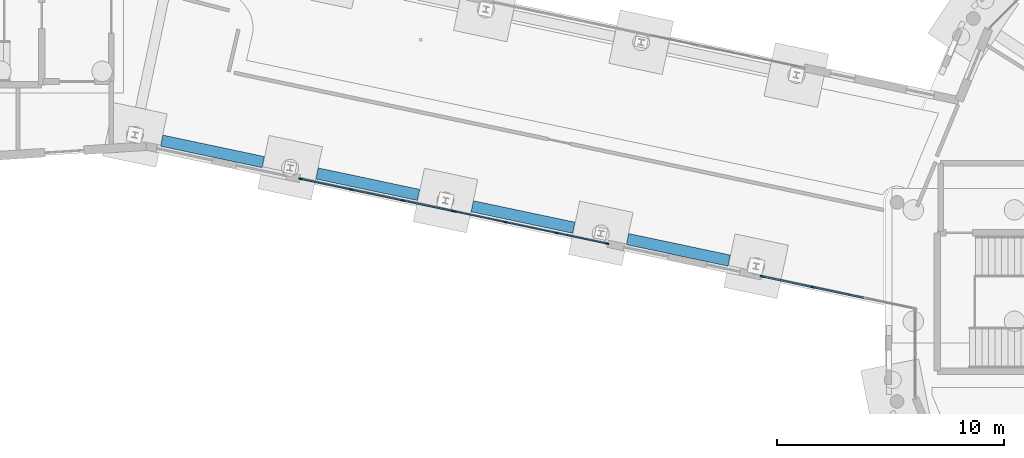
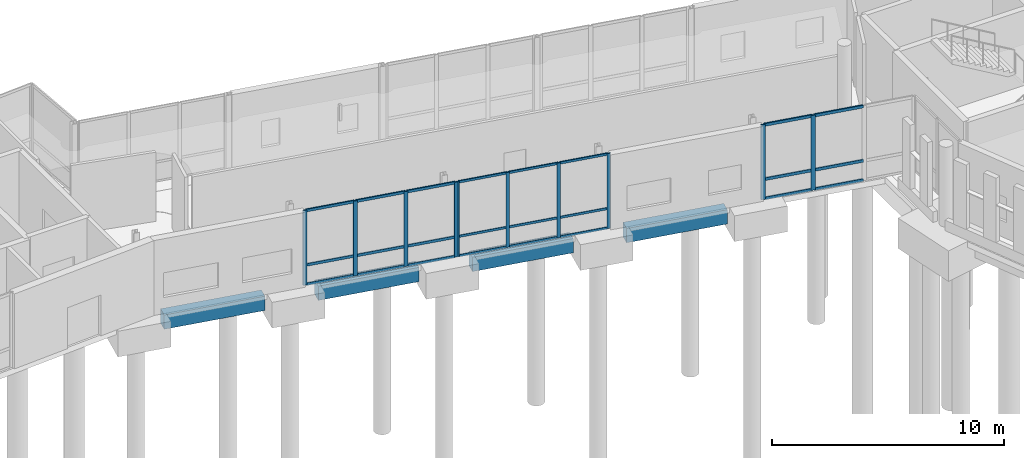
# One storey, part 36 of 113: 34 members, 4 beams, 3 elements without a shape of their own.
"""IFC4 building model written with IfcOpenShell, lengths in metres."""

from ifc_helpers import new_model, si_unit, direction, frame, origin, origin_2d, place, context, subcontext, project, spatial, rectangle, extrude, material, material_profile, profile_set, type_object, element, aggregate, save


model = new_model("IFC4")

# Units and contexts
model_context = context("Model", 3, precision=1e-05, world=origin(), true_north=direction((0.0, 1.0)))
body_context = subcontext(model_context, "Body", "Model", "MODEL_VIEW")
ifc_project = project(units=[si_unit("LENGTHUNIT", "METRE"), si_unit("AREAUNIT", "SQUARE_METRE"), si_unit("VOLUMEUNIT", "CUBIC_METRE"), si_unit("PLANEANGLEUNIT", "RADIAN"), si_unit("MASSUNIT", "GRAM", prefix="KILO")], contexts=[model_context])

# Site, building, storey
site_placement = place(None, origin())
site = spatial("IfcSite", under=ifc_project, at=site_placement, CompositionType="ELEMENT")
building_placement = place(site_placement, origin())
building = spatial("IfcBuilding", under=site, at=building_placement, Name="Wrenclough Park School", CompositionType="ELEMENT")
storey_placement = place(building_placement, origin())
storey = spatial("IfcBuildingStorey", under=building, at=storey_placement, Name="L00", CompositionType="ELEMENT", Elevation=0.0)

# Curtain wall, members
ifc_material_1 = material(Name="Thermally broken aluminium and low-e glass curtain wall", Category="aluminium")
curtain_wall_type_1 = type_object("IfcCurtainWallType", Name="ENV-CW-05", PredefinedType="USERDEFINED", material=ifc_material_1)
curtain_wall_1_placement = place(storey_placement, origin())
curtain_wall_1 = element("IfcCurtainWall", 1, at=curtain_wall_1_placement, inside=storey, type_object=curtain_wall_type_1, Name="L00 recessed curtain wall assembly 036", ObjectType="CURTAIN WALL", PredefinedType="USERDEFINED")
ifc_material_2 = material(Name="Thermally broken anodised aluminium", Category="aluminium")
ifc_material_profile_1 = material_profile(ifc_material_2, rectangle(XDim=0.06005859375, YDim=0.159912109375, at=origin_2d()), Name="AL MULLION 60x160")
ifc_profile_set_1 = profile_set([ifc_material_profile_1], Name="Thermally broken anodised aluminium")
member_type_1 = type_object("IfcMemberType", Name="ENV-CWM-1", PredefinedType="MULLION", material=ifc_profile_set_1)
member_1_placement = place(storey_placement, frame((120.716064453125, 29.0693359375, 0.0), z_axis=(0.0, 0.0, 1.0), x_axis=(-0.206814763004, -0.978380117237, 0.0)))
member_1 = element("IfcMember", 2, at=member_1_placement, type_object=member_type_1, Name="CW-05 mullion 1", PredefinedType="MULLION", context=body_context, shape_type="SweptSolid", body=[
    extrude(rectangle(XDim=0.06005859375, YDim=0.159912109375, at=origin_2d()), origin(), (0.0, 0.0, 1.0), 3.93994140625),
])
member_2_placement = place(storey_placement, frame((118.491455078125, 29.53955078125, 0.0), z_axis=(0.0, 0.0, 1.0), x_axis=(-0.206814763004, -0.978380117237, 0.0)))
member_2 = element("IfcMember", 3, at=member_2_placement, type_object=member_type_1, Name="CW-05 mullion 2", PredefinedType="MULLION", context=body_context, shape_type="SweptSolid", body=[
    extrude(rectangle(XDim=0.06005859375, YDim=0.159912109375, at=origin_2d()), origin(), (0.0, 0.0, 1.0), 3.93994140625),
])
member_3_placement = place(storey_placement, frame((116.237548828125, 30.015869140625, 0.0), z_axis=(0.0, 0.0, 1.0), x_axis=(-0.206814763004, -0.978380117237, 0.0)))
member_3 = element("IfcMember", 4, at=member_3_placement, type_object=member_type_1, Name="CW-05 mullion 3", PredefinedType="MULLION", context=body_context, shape_type="SweptSolid", body=[
    extrude(rectangle(XDim=0.06005859375, YDim=0.159912109375, at=origin_2d()), origin(), (0.0, 0.0, 1.0), 3.93994140625),
])
member_4_placement = place(storey_placement, frame((114.01318359375, 30.486083984375, 0.0), z_axis=(0.0, 0.0, 1.0), x_axis=(-0.206814763004, -0.978380117237, 0.0)))
member_4 = element("IfcMember", 5, at=member_4_placement, type_object=member_type_1, Name="CW-05 mullion 4", PredefinedType="MULLION", context=body_context, shape_type="SweptSolid", body=[
    extrude(rectangle(XDim=0.06005859375, YDim=0.159912109375, at=origin_2d()), origin(), (0.0, 0.0, 1.0), 3.93994140625),
])

curtain_wall_type_2 = type_object("IfcCurtainWallType", Name="ENV-CW-06", PredefinedType="USERDEFINED", material=ifc_material_1)
curtain_wall_2_placement = place(storey_placement, origin())
curtain_wall_2 = element("IfcCurtainWall", 6, at=curtain_wall_2_placement, inside=storey, type_object=curtain_wall_type_2, Name="L00 recessed curtain wall assembly 037", ObjectType="CURTAIN WALL", PredefinedType="USERDEFINED")
ifc_material_profile_2 = material_profile(ifc_material_2, rectangle(XDim=0.06494140625, YDim=0.179931640625, at=origin_2d()), Name="AL MULLION 65x180")
ifc_profile_set_2 = profile_set([ifc_material_profile_2], Name="Thermally broken anodised aluminium")
member_type_2 = type_object("IfcMemberType", Name="ENV-CWM-2", PredefinedType="MULLION", material=ifc_profile_set_2)
member_5_placement = place(storey_placement, frame((113.944091796875, 30.500732421875, 0.0), z_axis=(0.0, 0.0, 1.0), x_axis=(-0.206817690897, -0.97837949832, 0.0)))
member_5 = element("IfcMember", 7, at=member_5_placement, type_object=member_type_2, Name="CW-06 mullion 1", PredefinedType="MULLION", context=body_context, shape_type="SweptSolid", body=[
    extrude(rectangle(XDim=0.06494140625, YDim=0.179931640625, at=origin_2d()), origin(), (0.0, 0.0, 1.0), 3.93994140625),
])
member_6_placement = place(storey_placement, frame((111.72216796875, 30.970458984375, 0.0), z_axis=(0.0, 0.0, 1.0), x_axis=(-0.206817690897, -0.97837949832, 0.0)))
member_6 = element("IfcMember", 8, at=member_6_placement, type_object=member_type_2, Name="CW-06 mullion 2", PredefinedType="MULLION", context=body_context, shape_type="SweptSolid", body=[
    extrude(rectangle(XDim=0.06494140625, YDim=0.179931640625, at=origin_2d()), origin(), (0.0, 0.0, 1.0), 3.93994140625),
])
member_7_placement = place(storey_placement, frame((109.46826171875, 31.44677734375, 0.0), z_axis=(0.0, 0.0, 1.0), x_axis=(-0.206817690897, -0.97837949832, 0.0)))
member_7 = element("IfcMember", 9, at=member_7_placement, type_object=member_type_2, Name="CW-06 mullion 3", PredefinedType="MULLION", context=body_context, shape_type="SweptSolid", body=[
    extrude(rectangle(XDim=0.06494140625, YDim=0.179931640625, at=origin_2d()), origin(), (0.0, 0.0, 1.0), 3.93994140625),
])
member_8_placement = place(storey_placement, frame((107.246337890625, 31.91650390625, 0.0), z_axis=(0.0, 0.0, 1.0), x_axis=(-0.206817690897, -0.97837949832, 0.0)))
member_8 = element("IfcMember", 10, at=member_8_placement, type_object=member_type_2, Name="CW-06 mullion 4", PredefinedType="MULLION", context=body_context, shape_type="SweptSolid", body=[
    extrude(rectangle(XDim=0.06494140625, YDim=0.179931640625, at=origin_2d()), origin(), (0.0, 0.0, 1.0), 3.93994140625),
])

curtain_wall_type_3 = type_object("IfcCurtainWallType", Name="ENV-CW-04", PredefinedType="USERDEFINED", material=ifc_material_1)
curtain_wall_3_placement = place(storey_placement, origin())
curtain_wall_3 = element("IfcCurtainWall", 11, at=curtain_wall_3_placement, inside=storey, type_object=curtain_wall_type_3, Name="L00 recessed curtain wall assembly 035", ObjectType="CURTAIN WALL", PredefinedType="USERDEFINED")
ifc_material_profile_3 = material_profile(ifc_material_2, rectangle(XDim=0.070068359375, YDim=0.199951171875, at=origin_2d()), Name="AL MULLION 70x200")
ifc_profile_set_3 = profile_set([ifc_material_profile_3], Name="Thermally broken anodised aluminium")
member_type_3 = type_object("IfcMemberType", Name="ENV-CWM-3", PredefinedType="MULLION", material=ifc_profile_set_3)
member_9_placement = place(storey_placement, frame((129.7763671875, 27.154052734375, 0.0), z_axis=(0.0, 0.0, 1.0), x_axis=(-0.206817690897, -0.97837949832, 0.0)))
member_9 = element("IfcMember", 12, at=member_9_placement, type_object=member_type_3, Name="CW-04 mullion 3", PredefinedType="MULLION", context=body_context, shape_type="SweptSolid", body=[
    extrude(rectangle(XDim=0.070068359375, YDim=0.199951171875, at=origin_2d()), origin(), (0.0, 0.0, 1.0), 3.93994140625),
])
member_10_placement = place(storey_placement, frame((127.556640625, 27.623291015625, 0.0), z_axis=(0.0, 0.0, 1.0), x_axis=(-0.206817690897, -0.97837949832, 0.0)))
member_10 = element("IfcMember", 13, at=member_10_placement, type_object=member_type_3, Name="CW-04 mullion 4", PredefinedType="MULLION", context=body_context, shape_type="SweptSolid", body=[
    extrude(rectangle(XDim=0.070068359375, YDim=0.199951171875, at=origin_2d()), origin(), (0.0, 0.0, 1.0), 3.93994140625),
])

# Member
ifc_material_profile_4 = material_profile(ifc_material_2, rectangle(XDim=0.06005859375, YDim=0.1201171875, at=origin_2d()), Name="AL TRANSOM 60x120")
ifc_profile_set_4 = profile_set([ifc_material_profile_4], Name="Thermally broken anodised aluminium")
member_type_4 = type_object("IfcMemberType", Name="ENV-CWT-1", PredefinedType="USERDEFINED", material=ifc_profile_set_4)
member_11_placement = place(storey_placement, frame((120.686767578125, 29.075439453125, 0.030029296875), z_axis=(-0.978362155073, 0.206899718512, 0.0), x_axis=(-0.206899718512, -0.978362155073, 0.0)))
member_11 = element("IfcMember", 14, at=member_11_placement, type_object=member_type_4, Name="CW-05 transom 1.1", ObjectType="TRANSOM", PredefinedType="USERDEFINED", context=body_context, shape_type="SweptSolid", body=[
    extrude(rectangle(XDim=0.06005859375, YDim=0.1201171875, at=origin_2d()), origin(), (0.0, 0.0, 1.0), 2.213623046875),
])

member_12_placement = place(storey_placement, frame((120.686767578125, 29.075439453125, 1.050048828125), z_axis=(-0.978362155073, 0.206899718512, 0.0), x_axis=(-0.206899718512, -0.978362155073, 0.0)))
member_12 = element("IfcMember", 15, at=member_12_placement, type_object=member_type_4, Name="CW-05 transom 1.2", ObjectType="TRANSOM", PredefinedType="USERDEFINED", context=body_context, shape_type="SweptSolid", body=[
    extrude(rectangle(XDim=0.06005859375, YDim=0.1201171875, at=origin_2d()), origin(), (0.0, 0.0, 1.0), 2.213623046875),
])

member_13_placement = place(storey_placement, frame((120.686767578125, 29.075439453125, 3.909912109375), z_axis=(-0.978362155073, 0.206899718512, 0.0), x_axis=(-0.206899718512, -0.978362155073, 0.0)))
member_13 = element("IfcMember", 16, at=member_13_placement, type_object=member_type_4, Name="CW-05 transom 1.3", ObjectType="TRANSOM", PredefinedType="USERDEFINED", context=body_context, shape_type="SweptSolid", body=[
    extrude(rectangle(XDim=0.06005859375, YDim=0.1201171875, at=origin_2d()), origin(), (0.0, 0.0, 1.0), 2.213623046875),
])

member_14_placement = place(storey_placement, frame((118.462158203125, 29.545654296875, 0.030029296875), z_axis=(-0.978370460027, 0.206860443167, 0.0), x_axis=(-0.206860443167, -0.978370460027, 0.0)))
member_14 = element("IfcMember", 17, at=member_14_placement, type_object=member_type_4, Name="CW-05 transom 2.1", ObjectType="TRANSOM", PredefinedType="USERDEFINED", context=body_context, shape_type="SweptSolid", body=[
    extrude(rectangle(XDim=0.06005859375, YDim=0.1201171875, at=origin_2d()), origin(), (0.0, 0.0, 1.0), 2.24365234375),
])

member_15_placement = place(storey_placement, frame((118.462158203125, 29.545654296875, 1.050048828125), z_axis=(-0.978370460027, 0.206860443167, 0.0), x_axis=(-0.206860443167, -0.978370460027, 0.0)))
member_15 = element("IfcMember", 18, at=member_15_placement, type_object=member_type_4, Name="CW-05 transom 2.2", ObjectType="TRANSOM", PredefinedType="USERDEFINED", context=body_context, shape_type="SweptSolid", body=[
    extrude(rectangle(XDim=0.06005859375, YDim=0.1201171875, at=origin_2d()), origin(), (0.0, 0.0, 1.0), 2.24365234375),
])

member_16_placement = place(storey_placement, frame((118.462158203125, 29.545654296875, 3.909912109375), z_axis=(-0.978370460027, 0.206860443167, 0.0), x_axis=(-0.206860443167, -0.978370460027, 0.0)))
member_16 = element("IfcMember", 19, at=member_16_placement, type_object=member_type_4, Name="CW-05 transom 2.3", ObjectType="TRANSOM", PredefinedType="USERDEFINED", context=body_context, shape_type="SweptSolid", body=[
    extrude(rectangle(XDim=0.06005859375, YDim=0.1201171875, at=origin_2d()), origin(), (0.0, 0.0, 1.0), 2.24365234375),
])

member_17_placement = place(storey_placement, frame((116.208251953125, 30.022216796875, 0.030029296875), z_axis=(-0.978384474637, 0.206794148342, 0.0), x_axis=(-0.206794148342, -0.978384474637, 0.0)))
member_17 = element("IfcMember", 20, at=member_17_placement, type_object=member_type_4, Name="CW-05 transom 3.1", ObjectType="TRANSOM", PredefinedType="USERDEFINED", context=body_context, shape_type="SweptSolid", body=[
    extrude(rectangle(XDim=0.06005859375, YDim=0.1201171875, at=origin_2d()), origin(), (0.0, 0.0, 1.0), 2.213623046875),
])

member_18_placement = place(storey_placement, frame((116.208251953125, 30.022216796875, 1.050048828125), z_axis=(-0.978384474637, 0.206794148342, 0.0), x_axis=(-0.206794148342, -0.978384474637, 0.0)))
member_18 = element("IfcMember", 21, at=member_18_placement, type_object=member_type_4, Name="CW-05 transom 3.2", ObjectType="TRANSOM", PredefinedType="USERDEFINED", context=body_context, shape_type="SweptSolid", body=[
    extrude(rectangle(XDim=0.06005859375, YDim=0.1201171875, at=origin_2d()), origin(), (0.0, 0.0, 1.0), 2.213623046875),
])

member_19_placement = place(storey_placement, frame((116.208251953125, 30.022216796875, 3.909912109375), z_axis=(-0.978384474637, 0.206794148342, 0.0), x_axis=(-0.206794148342, -0.978384474637, 0.0)))
member_19 = element("IfcMember", 22, at=member_19_placement, type_object=member_type_4, Name="CW-05 transom 3.3", ObjectType="TRANSOM", PredefinedType="USERDEFINED", context=body_context, shape_type="SweptSolid", body=[
    extrude(rectangle(XDim=0.06005859375, YDim=0.1201171875, at=origin_2d()), origin(), (0.0, 0.0, 1.0), 2.213623046875),
])

aggregate(curtain_wall_1, [member_1, member_2, member_3, member_4, member_11, member_12, member_13, member_14, member_15, member_16, member_17, member_18, member_19])

ifc_material_profile_5 = material_profile(ifc_material_2, rectangle(XDim=0.06494140625, YDim=0.139892578125, at=origin_2d()), Name="AL TRANSOM 65x140")
ifc_profile_set_5 = profile_set([ifc_material_profile_5], Name="Thermally broken anodised aluminium")
member_type_5 = type_object("IfcMemberType", Name="ENV-CWT-2", PredefinedType="USERDEFINED", material=ifc_profile_set_5)
member_20_placement = place(storey_placement, frame((113.912353515625, 30.50732421875, 0.032470703125), z_axis=(-0.978376841559, 0.206830258667, 0.0), x_axis=(-0.206830258667, -0.978376841559, 0.0)))
member_20 = element("IfcMember", 23, at=member_20_placement, type_object=member_type_5, Name="CW-06 transom 1.1", ObjectType="TRANSOM", PredefinedType="USERDEFINED", context=body_context, shape_type="SweptSolid", body=[
    extrude(rectangle(XDim=0.06494140625, YDim=0.139892578125, at=origin_2d()), origin(), (0.0, 0.0, 1.0), 2.2060546875),
])

member_21_placement = place(storey_placement, frame((113.912353515625, 30.50732421875, 1.050048828125), z_axis=(-0.978376841559, 0.206830258667, 0.0), x_axis=(-0.206830258667, -0.978376841559, 0.0)))
member_21 = element("IfcMember", 24, at=member_21_placement, type_object=member_type_5, Name="CW-06 transom 1.2", ObjectType="TRANSOM", PredefinedType="USERDEFINED", context=body_context, shape_type="SweptSolid", body=[
    extrude(rectangle(XDim=0.06494140625, YDim=0.139892578125, at=origin_2d()), origin(), (0.0, 0.0, 1.0), 2.2060546875),
])

member_22_placement = place(storey_placement, frame((113.912353515625, 30.50732421875, 3.907470703125), z_axis=(-0.978376841559, 0.206830258667, 0.0), x_axis=(-0.206830258667, -0.978376841559, 0.0)))
member_22 = element("IfcMember", 25, at=member_22_placement, type_object=member_type_5, Name="CW-06 transom 1.3", ObjectType="TRANSOM", PredefinedType="USERDEFINED", context=body_context, shape_type="SweptSolid", body=[
    extrude(rectangle(XDim=0.06494140625, YDim=0.139892578125, at=origin_2d()), origin(), (0.0, 0.0, 1.0), 2.2060546875),
])

member_23_placement = place(storey_placement, frame((111.6904296875, 30.97705078125, 0.032470703125), z_axis=(-0.97836541247, 0.206884314731, 0.0), x_axis=(-0.206884314731, -0.97836541247, 0.0)))
member_23 = element("IfcMember", 26, at=member_23_placement, type_object=member_type_5, Name="CW-06 transom 2.1", ObjectType="TRANSOM", PredefinedType="USERDEFINED", context=body_context, shape_type="SweptSolid", body=[
    extrude(rectangle(XDim=0.06494140625, YDim=0.139892578125, at=origin_2d()), origin(), (0.0, 0.0, 1.0), 2.238525390625),
])

member_24_placement = place(storey_placement, frame((111.6904296875, 30.97705078125, 1.050048828125), z_axis=(-0.97836541247, 0.206884314731, 0.0), x_axis=(-0.206884314731, -0.97836541247, 0.0)))
member_24 = element("IfcMember", 27, at=member_24_placement, type_object=member_type_5, Name="CW-06 transom 2.2", ObjectType="TRANSOM", PredefinedType="USERDEFINED", context=body_context, shape_type="SweptSolid", body=[
    extrude(rectangle(XDim=0.06494140625, YDim=0.139892578125, at=origin_2d()), origin(), (0.0, 0.0, 1.0), 2.238525390625),
])

member_25_placement = place(storey_placement, frame((111.6904296875, 30.97705078125, 3.907470703125), z_axis=(-0.97836541247, 0.206884314731, 0.0), x_axis=(-0.206884314731, -0.97836541247, 0.0)))
member_25 = element("IfcMember", 28, at=member_25_placement, type_object=member_type_5, Name="CW-06 transom 2.3", ObjectType="TRANSOM", PredefinedType="USERDEFINED", context=body_context, shape_type="SweptSolid", body=[
    extrude(rectangle(XDim=0.06494140625, YDim=0.139892578125, at=origin_2d()), origin(), (0.0, 0.0, 1.0), 2.238525390625),
])

member_26_placement = place(storey_placement, frame((109.4365234375, 31.45361328125, 0.032470703125), z_axis=(-0.978376841559, 0.206830258667, 0.0), x_axis=(-0.206830258667, -0.978376841559, 0.0)))
member_26 = element("IfcMember", 29, at=member_26_placement, type_object=member_type_5, Name="CW-06 transom 3.1", ObjectType="TRANSOM", PredefinedType="USERDEFINED", context=body_context, shape_type="SweptSolid", body=[
    extrude(rectangle(XDim=0.06494140625, YDim=0.139892578125, at=origin_2d()), origin(), (0.0, 0.0, 1.0), 2.2060546875),
])

member_27_placement = place(storey_placement, frame((109.4365234375, 31.45361328125, 1.050048828125), z_axis=(-0.978376841559, 0.206830258667, 0.0), x_axis=(-0.206830258667, -0.978376841559, 0.0)))
member_27 = element("IfcMember", 30, at=member_27_placement, type_object=member_type_5, Name="CW-06 transom 3.2", ObjectType="TRANSOM", PredefinedType="USERDEFINED", context=body_context, shape_type="SweptSolid", body=[
    extrude(rectangle(XDim=0.06494140625, YDim=0.139892578125, at=origin_2d()), origin(), (0.0, 0.0, 1.0), 2.2060546875),
])

member_28_placement = place(storey_placement, frame((109.4365234375, 31.45361328125, 3.907470703125), z_axis=(-0.978376841559, 0.206830258667, 0.0), x_axis=(-0.206830258667, -0.978376841559, 0.0)))
member_28 = element("IfcMember", 31, at=member_28_placement, type_object=member_type_5, Name="CW-06 transom 3.3", ObjectType="TRANSOM", PredefinedType="USERDEFINED", context=body_context, shape_type="SweptSolid", body=[
    extrude(rectangle(XDim=0.06494140625, YDim=0.139892578125, at=origin_2d()), origin(), (0.0, 0.0, 1.0), 2.2060546875),
])

aggregate(curtain_wall_2, [member_5, member_6, member_7, member_8, member_20, member_21, member_22, member_23, member_24, member_25, member_26, member_27, member_28])

ifc_material_profile_6 = material_profile(ifc_material_2, rectangle(XDim=0.070068359375, YDim=0.14990234375, at=origin_2d()), Name="AL TRANSOM 70x150")
ifc_profile_set_6 = profile_set([ifc_material_profile_6], Name="Thermally broken anodised aluminium")
member_type_6 = type_object("IfcMemberType", Name="ENV-CWT-3", PredefinedType="USERDEFINED", material=ifc_profile_set_6)
member_29_placement = place(storey_placement, frame((131.995849609375, 26.68505859375, 0.034912109375), z_axis=(-0.978382462786, 0.206803666584, 0.0), x_axis=(-0.206803666584, -0.978382462786, 0.0)))
member_29 = element("IfcMember", 32, at=member_29_placement, type_object=member_type_6, Name="CW-04 transom 2.1", ObjectType="TRANSOM", PredefinedType="USERDEFINED", context=body_context, shape_type="SweptSolid", body=[
    extrude(rectangle(XDim=0.070068359375, YDim=0.14990234375, at=origin_2d()), origin(), (0.0, 0.0, 1.0), 2.233642578125),
])

member_30_placement = place(storey_placement, frame((131.995849609375, 26.68505859375, 1.050048828125), z_axis=(-0.978382462786, 0.206803666584, 0.0), x_axis=(-0.206803666584, -0.978382462786, 0.0)))
member_30 = element("IfcMember", 33, at=member_30_placement, type_object=member_type_6, Name="CW-04 transom 2.2", ObjectType="TRANSOM", PredefinedType="USERDEFINED", context=body_context, shape_type="SweptSolid", body=[
    extrude(rectangle(XDim=0.070068359375, YDim=0.14990234375, at=origin_2d()), origin(), (0.0, 0.0, 1.0), 2.233642578125),
])

member_31_placement = place(storey_placement, frame((131.995849609375, 26.68505859375, 3.905029296875), z_axis=(-0.978382462786, 0.206803666584, 0.0), x_axis=(-0.206803666584, -0.978382462786, 0.0)))
member_31 = element("IfcMember", 34, at=member_31_placement, type_object=member_type_6, Name="CW-04 transom 2.3", ObjectType="TRANSOM", PredefinedType="USERDEFINED", context=body_context, shape_type="SweptSolid", body=[
    extrude(rectangle(XDim=0.070068359375, YDim=0.14990234375, at=origin_2d()), origin(), (0.0, 0.0, 1.0), 2.233642578125),
])

member_32_placement = place(storey_placement, frame((129.7421875, 27.161376953125, 0.034912109375), z_axis=(-0.978369155277, 0.206866614037, 0.0), x_axis=(-0.206866614037, -0.978369155277, 0.0)))
member_32 = element("IfcMember", 35, at=member_32_placement, type_object=member_type_6, Name="CW-04 transom 3.1", ObjectType="TRANSOM", PredefinedType="USERDEFINED", context=body_context, shape_type="SweptSolid", body=[
    extrude(rectangle(XDim=0.070068359375, YDim=0.14990234375, at=origin_2d()), origin(), (0.0, 0.0, 1.0), 2.19873046875),
])

member_33_placement = place(storey_placement, frame((129.7421875, 27.161376953125, 1.050048828125), z_axis=(-0.978369155277, 0.206866614037, 0.0), x_axis=(-0.206866614037, -0.978369155277, 0.0)))
member_33 = element("IfcMember", 36, at=member_33_placement, type_object=member_type_6, Name="CW-04 transom 3.2", ObjectType="TRANSOM", PredefinedType="USERDEFINED", context=body_context, shape_type="SweptSolid", body=[
    extrude(rectangle(XDim=0.070068359375, YDim=0.14990234375, at=origin_2d()), origin(), (0.0, 0.0, 1.0), 2.19873046875),
])

member_34_placement = place(storey_placement, frame((129.7421875, 27.161376953125, 3.905029296875), z_axis=(-0.978369155277, 0.206866614037, 0.0), x_axis=(-0.206866614037, -0.978369155277, 0.0)))
member_34 = element("IfcMember", 37, at=member_34_placement, type_object=member_type_6, Name="CW-04 transom 3.3", ObjectType="TRANSOM", PredefinedType="USERDEFINED", context=body_context, shape_type="SweptSolid", body=[
    extrude(rectangle(XDim=0.070068359375, YDim=0.14990234375, at=origin_2d()), origin(), (0.0, 0.0, 1.0), 2.19873046875),
])

aggregate(curtain_wall_3, [member_9, member_10, member_29, member_30, member_31, member_32, member_33, member_34])

# Beams
ifc_material_3 = material(Name="Concrete C35/45", Category="concrete")
ifc_material_profile_7 = material_profile(ifc_material_3, rectangle(XDim=0.5, YDim=0.75, at=origin_2d()), Name="RC GROUND 500x750")
ifc_profile_set_7 = profile_set([ifc_material_profile_7], Name="Concrete C35/45")
beam_type = type_object("IfcBeamType", Name="STR-BM-GTB2", PredefinedType="USERDEFINED", material=ifc_profile_set_7)
for number, where, z_axis, x_axis, name in (
    (38, (101.1259765625, 33.5986328125, -0.675048828125), (0.978378202994, -0.206823818517, 0.0), (0.206823818517, 0.978378202994, 0.0), "Reinforced concrete ground tie beam 122"),
    (39, (107.959228515625, 32.154296875, -0.675048828125), (0.978378202994, -0.206823818517, 0.0), (0.206823818517, 0.978378202994, 0.0), "Reinforced concrete ground tie beam 124"),
):
    element("IfcBeam", number, at=place(storey_placement, frame(where, z_axis=z_axis, x_axis=x_axis)), inside=storey, type_object=beam_type, Name=name, ObjectType="GROUND TIE BEAM", PredefinedType="USERDEFINED", context=body_context, shape_type="SweptSolid", body=[
        extrude(rectangle(XDim=0.5, YDim=0.75, at=origin_2d()), origin(), (0.0, 0.0, 1.0), 4.568359375),
    ])
beam_1_placement = place(storey_placement, frame((114.79248046875, 30.709716796875, -0.675048828125), z_axis=(0.978380488891, -0.206813004807, 0.0), x_axis=(0.206813004807, 0.978380488891, 0.0)))
element("IfcBeam", 40, at=beam_1_placement, inside=storey, type_object=beam_type, Name="Reinforced concrete ground tie beam 126", ObjectType="GROUND TIE BEAM", PredefinedType="USERDEFINED", context=body_context, shape_type="SweptSolid", body=[
    extrude(rectangle(XDim=0.5, YDim=0.75, at=origin_2d()), origin(), (0.0, 0.0, 1.0), 4.568603515625),
])
beam_2_placement = place(storey_placement, frame((121.6259765625, 29.265380859375, -0.675048828125), z_axis=(0.978378202994, -0.206823818517, 0.0), x_axis=(0.206823818517, 0.978378202994, 0.0)))
element("IfcBeam", 41, at=beam_2_placement, inside=storey, type_object=beam_type, Name="Reinforced concrete ground tie beam 128", ObjectType="GROUND TIE BEAM", PredefinedType="USERDEFINED", context=body_context, shape_type="SweptSolid", body=[
    extrude(rectangle(XDim=0.5, YDim=0.75, at=origin_2d()), origin(), (0.0, 0.0, 1.0), 4.568359375),
])

save(model, "model.ifc")
